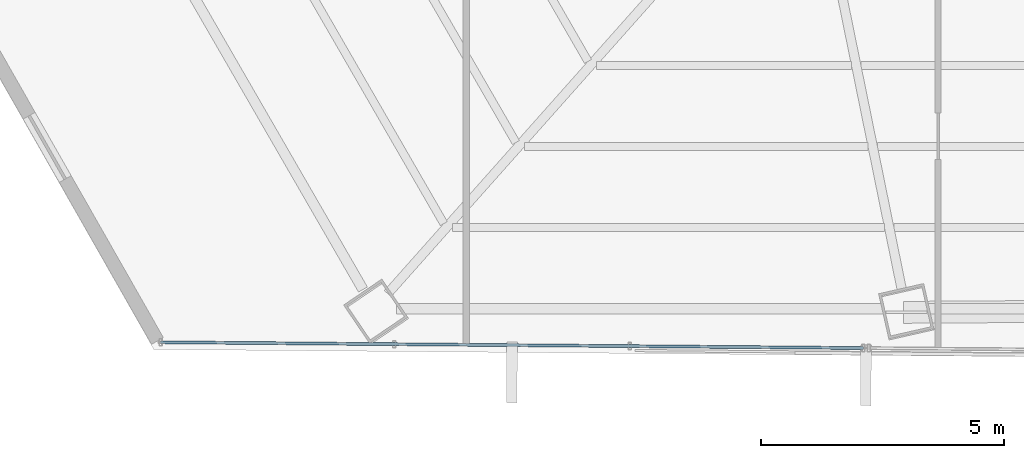
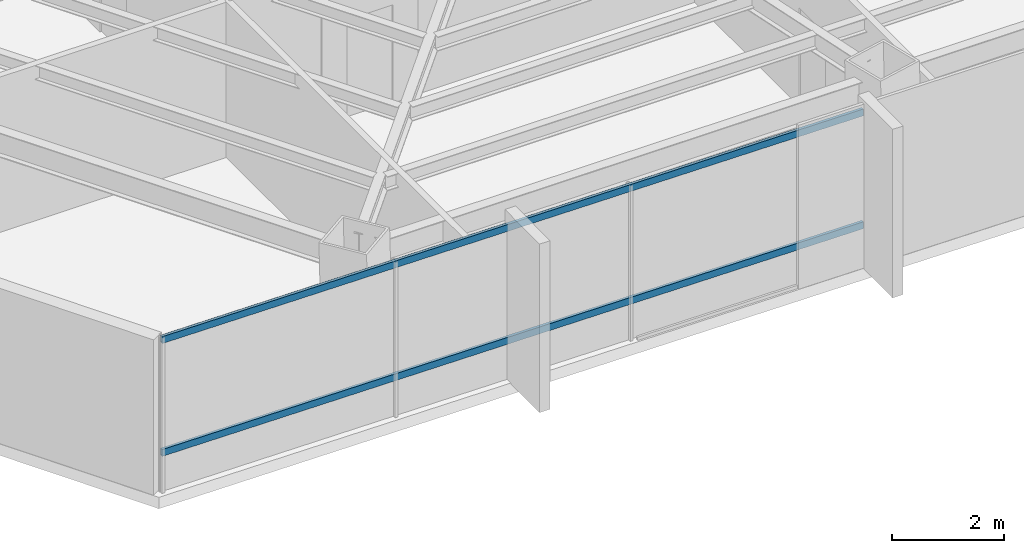
# One storey, part 3 of 38: 2 members, 1 element without a shape of its own.
"""IFC4 building model written with IfcOpenShell, lengths in metres."""

from ifc_helpers import new_model, si_unit, direction, frame, origin, origin_2d, place, context, subcontext, project, spatial, hollow_rectangle, extrude, source, transform, mapped, material, material_profile, profile_set, type_object, type_shapes, element, aggregate, save


model = new_model("IFC4")

# Units and contexts
model_context = context("Model", 3, precision=1e-05, world=origin(), true_north=direction((0.0, 1.0)))
body_context = subcontext(model_context, "Body", "Model", "MODEL_VIEW")
ifc_project = project(units=[si_unit("LENGTHUNIT", "METRE"), si_unit("AREAUNIT", "SQUARE_METRE"), si_unit("VOLUMEUNIT", "CUBIC_METRE"), si_unit("PLANEANGLEUNIT", "RADIAN"), si_unit("MASSUNIT", "GRAM", prefix="KILO")], contexts=[model_context])

# Site, building, storey
site_placement = place(None, origin())
site = spatial("IfcSite", under=ifc_project, at=site_placement, CompositionType="ELEMENT")
building_placement = place(site_placement, origin())
building = spatial("IfcBuilding", under=site, at=building_placement, Name="Caelisora Broadcast Tower", CompositionType="ELEMENT")
storey_placement = place(building_placement, frame((0.0, 0.0, 154.85009765625)))
storey = spatial("IfcBuildingStorey", under=building, at=storey_placement, Name="L40", CompositionType="ELEMENT", Elevation=154.85009765625)

# Curtain wall, members
ifc_material_1 = material(Name="Unitised Aluminium and Low-E Glass Curtain Wall", Category="glass")
curtain_wall_type = type_object("IfcCurtainWallType", Name="CW-Z3", PredefinedType="NOTDEFINED", material=ifc_material_1)
curtain_wall_placement = place(storey_placement, origin())
curtain_wall = element("IfcCurtainWall", 1, at=curtain_wall_placement, inside=storey, type_object=curtain_wall_type, Name="L40 curtain wall CW-Z3", PredefinedType="NOTDEFINED")
ifc_material_2 = material(Name="Aluminium 6063-T6 Anodised Terracotta Bronze", Category="aluminium")
ifc_material_profile = material_profile(ifc_material_2, hollow_rectangle(XDim=0.06005859375, YDim=0.14990234375, WallThickness=0.00341796875, at=origin_2d()), Name="Aluminium 6063-T6 Anodised Terracotta Bronze")
ifc_profile_set = profile_set([ifc_material_profile], Name="Aluminium 6063-T6 Anodised Terracotta Bronze")
member_type = type_object("IfcMemberType", Name="CWT-02", PredefinedType="USERDEFINED", material=ifc_profile_set)
shared_shape = source(origin(), body_context, "Body", "SweptSolid", [
    extrude(hollow_rectangle(XDim=0.06005859375, YDim=0.14990234375, WallThickness=0.00341796875, at=origin_2d()), origin(), (0.0, 0.0, 1.0), 14.45166015625),
])
type_shapes(member_type, [shared_shape])
member_1_placement = place(storey_placement, frame((31.665283203125, 6.586181640625, 0.849853515625), z_axis=(-0.999965877608, 0.008260969627, 0.0), x_axis=(-0.008260969627, -0.999965877608, 0.0)))
member_1 = element("IfcMember", 2, at=member_1_placement, type_object=member_type, Name="L40-CW-B07 transom #1", ObjectType="TRANSOM", PredefinedType="USERDEFINED", context=body_context, shape_type="MappedRepresentation", body=[
    mapped(shared_shape, transform((0.0, 0.0, 0.0), scale=1.0)),
])
member_2_placement = place(storey_placement, frame((31.665283203125, 6.586181640625, 3.31982421875), z_axis=(-0.999965877608, 0.008260969627, 0.0), x_axis=(-0.008260969627, -0.999965877608, 0.0)))
member_2 = element("IfcMember", 3, at=member_2_placement, type_object=member_type, Name="L40-CW-B07 transom #2", ObjectType="TRANSOM", PredefinedType="USERDEFINED", context=body_context, shape_type="MappedRepresentation", body=[
    mapped(shared_shape, transform((0.0, 0.0, 0.0), scale=1.0)),
])
aggregate(curtain_wall, [member_1, member_2])

save(model, "model.ifc")
